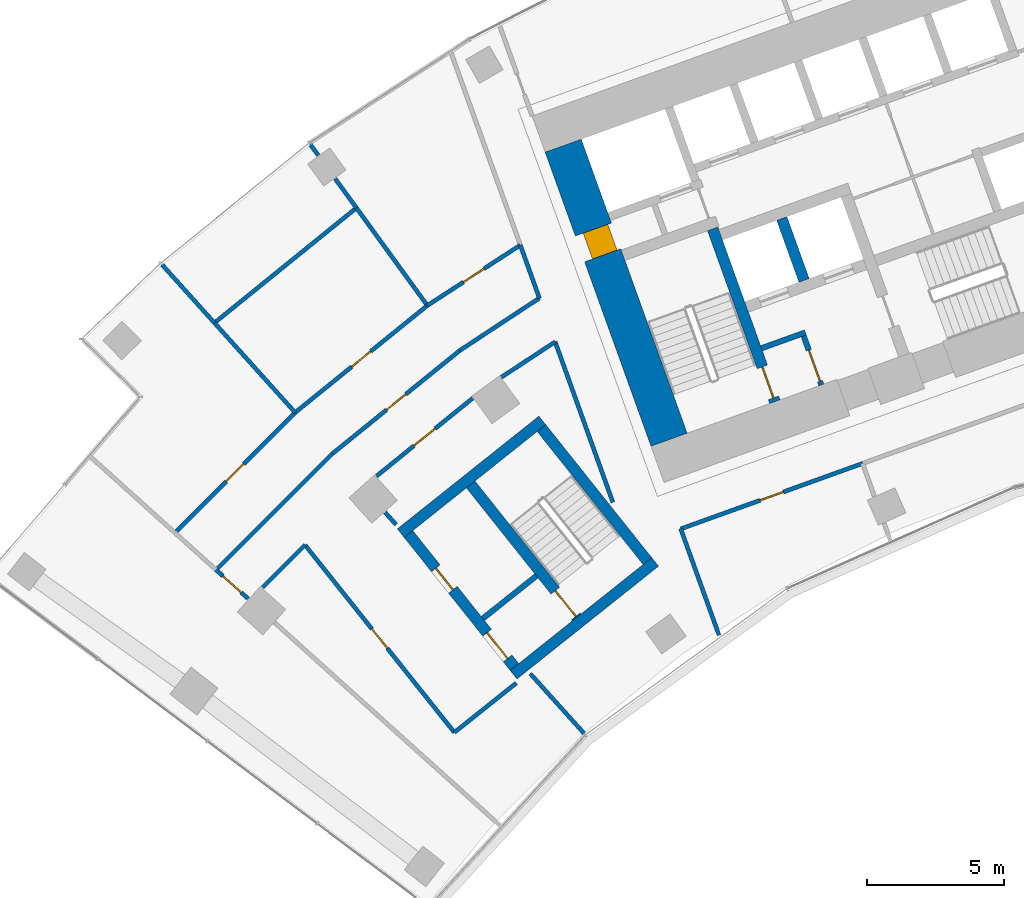
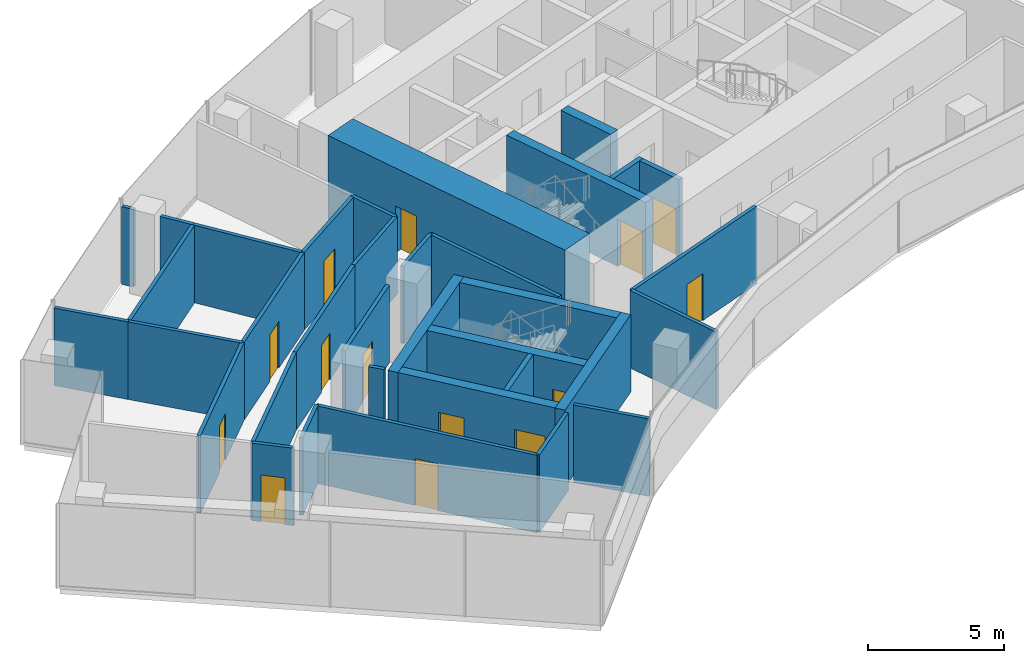
# One storey, part 13 of 20: 35 walls, 14 doors, 14 openings.
"""IFC4 building model written with IfcOpenShell, lengths in metres."""

from ifc_helpers import new_model, si_unit, direction, frame, frame_2d, origin, place, context, subcontext, project, spatial, rectangle, extrude, material, layer, layer_set, type_object, element, fill, save


model = new_model("IFC4")

# Units and contexts
model_context = context("Model", 3, precision=1e-05, world=origin(), true_north=direction((0.0, 1.0)))
body_context = subcontext(model_context, "Body", "Model", "MODEL_VIEW")
ifc_project = project(units=[si_unit("LENGTHUNIT", "METRE"), si_unit("AREAUNIT", "SQUARE_METRE"), si_unit("VOLUMEUNIT", "CUBIC_METRE"), si_unit("PLANEANGLEUNIT", "RADIAN"), si_unit("MASSUNIT", "GRAM", prefix="KILO")], contexts=[model_context])

# Site, building, storey
site_placement = place(None, origin())
site = spatial("IfcSite", under=ifc_project, at=site_placement, CompositionType="ELEMENT")
building_placement = place(site_placement, origin())
building = spatial("IfcBuilding", under=site, at=building_placement, Name="Stone Belt Terrace Tower", CompositionType="ELEMENT")
storey_placement = place(building_placement, frame((0.0, 0.0, 182.0)))
storey = spatial("IfcBuildingStorey", under=building, at=storey_placement, Name="L44", CompositionType="ELEMENT", Elevation=182.0)

# Wall, opening, door
ifc_material_1 = material(Name="Concrete B80", Category="concrete")
ifc_layer_1 = layer(ifc_material_1, 1.39990234375)
ifc_layer_set_1 = layer_set([ifc_layer_1], Name="Core wall 1400 B80")
wall_type_1 = type_object("IfcWallType", Name="Core wall 1400 B80", PredefinedType="SHEAR", material=ifc_layer_set_1)
wall_1_placement = place(storey_placement, frame((-26.00927734375, 43.03515625, 0.0), z_axis=(0.0, 0.0, 1.0), x_axis=(-0.338625431531, 0.940921259788, 0.0)))
wall_1 = element("IfcWall", 1, at=wall_1_placement, inside=storey, type_object=wall_type_1, Name="Core A wall end_a L44", PredefinedType="SHEAR", context=body_context, shape_type="SweptSolid", body=[
    extrude(rectangle(XDim=11.400146484375, YDim=1.39990234375, at=frame_2d((5.7001953125, 0.0))), origin(), (0.0, 0.0, 1.0), 3.800048828125),
])
opening_1_placement = place(wall_1_placement, frame((7.14990234375, 0.0, 0.0)))
opening_1 = element("IfcOpeningElement", 2, at=opening_1_placement, cuts=wall_1, Name="Opening L44-C04", PredefinedType="OPENING", context=body_context, shape_type="SweptSolid", body=[
    extrude(rectangle(XDim=1.0, YDim=2.10009765625, at=frame_2d((0.5, 1.050048828125))), frame((0.0, 0.7099609375, 0.0), z_axis=(0.0, -1.0, 0.0), x_axis=(1.0, 0.0, 0.0)), (0.0, 0.0, 1.0), 1.419921875),
])
ifc_material_2 = material(Name="Timber door leaf", Category="wood")
door_type_1 = type_object("IfcDoorType", Name="Core room door 1000", OperationType="SINGLE_SWING_LEFT", PredefinedType="DOOR", material=ifc_material_2)
door_1_placement = place(opening_1_placement, origin())
door_1 = element("IfcDoor", 3, at=door_1_placement, inside=storey, type_object=door_type_1, Name="Door to Telecommunications riser room core A", OperationType="SINGLE_SWING_RIGHT", OverallHeight=2.10009765625, OverallWidth=1.0, PredefinedType="DOOR", context=body_context, shape_type="SweptSolid", body=[
    extrude(rectangle(XDim=1.0, YDim=2.10009765625, at=frame_2d((0.5, 1.050048828125))), frame((0.0, 0.39501953125, 0.0), z_axis=(0.0, -1.0, 0.0), x_axis=(1.0, 0.0, 0.0)), (0.0, 0.0, 1.0), 0.949951171875),
])
fill(opening_1, door_1)

# Walls
ifc_layer_2 = layer(ifc_material_1, 0.39990234375)
ifc_layer_set_2 = layer_set([ifc_layer_2], Name="Fire-fighting lift shaft wall 400")
wall_type_2 = type_object("IfcWallType", Name="Fire-fighting lift shaft wall 400", PredefinedType="SHEAR", material=ifc_layer_set_2)
wall_2_placement = place(storey_placement, frame((-21.0859375, 48.845458984375, 0.0), z_axis=(0.0, 0.0, 1.0), x_axis=(-0.338629416206, 0.940919825745, 0.0)))
element("IfcWall", 4, at=wall_2_placement, inside=storey, type_object=wall_type_2, Name="Core A wall", PredefinedType="SHEAR", context=body_context, shape_type="SweptSolid", body=[
    extrude(rectangle(XDim=2.400146484375, YDim=0.39990234375, at=frame_2d((1.2001953125, 0.0))), origin(), (0.0, 0.0, 1.0), 3.47998046875),
])
ifc_material_3 = material(Name="Gypsum board partition")
ifc_layer_3 = layer(ifc_material_3, 0.14990234375)
ifc_layer_set_3 = layer_set([ifc_layer_3], Name="PARTITION 150 EI 60")
wall_type_3 = type_object("IfcWallType", Name="PARTITION 150 EI 60", PredefinedType="PARTITIONING", material=ifc_layer_set_3)
wall_3_placement = place(storey_placement, frame((-25.5859375, 39.79296875, 0.0), z_axis=(0.0, 0.0, 1.0), x_axis=(0.338545933013, -0.940949866486, 0.0)))
element("IfcWall", 5, at=wall_3_placement, inside=storey, type_object=wall_type_3, Name="L44/wall/i001", PredefinedType="PARTITIONING", context=body_context, shape_type="SweptSolid", body=[
    extrude(rectangle(XDim=4.135009765625, YDim=0.14990234375, at=frame_2d((2.0673828125, 0.0))), origin(), (0.0, 0.0, 1.0), 3.47998046875),
])
wall_4_placement = place(storey_placement, frame((-28.05810546875, 40.75390625, 0.0), z_axis=(0.0, 0.0, 1.0), x_axis=(-0.338523697563, 0.94095786632, 0.0)))
element("IfcWall", 6, at=wall_4_placement, inside=storey, type_object=wall_type_3, Name="L44/wall/i003", PredefinedType="PARTITIONING", context=body_context, shape_type="SweptSolid", body=[
    extrude(rectangle(XDim=6.226806640625, YDim=0.14990234375, at=frame_2d((3.11328125, 0.0))), origin(), (0.0, 0.0, 1.0), 3.47998046875),
])
wall_5_placement = place(storey_placement, frame((-29.107177734375, 32.32666015625, 0.0), z_axis=(0.0, 0.0, 1.0), x_axis=(-0.669245075227, 0.74304174128, 0.0)))
element("IfcWall", 7, at=wall_5_placement, inside=storey, type_object=wall_type_3, Name="L44/wall/i004", PredefinedType="PARTITIONING", context=body_context, shape_type="SweptSolid", body=[
    extrude(rectangle(XDim=2.9345703125, YDim=0.14990234375, at=frame_2d((1.46728515625, 0.0))), origin(), (0.0, 0.0, 1.0), 3.47998046875),
])
wall_6_placement = place(storey_placement, frame((-30.737060546875, 48.197021484375, 0.0), z_axis=(0.0, 0.0, 1.0), x_axis=(-0.338522672426, 0.940958235127, 0.0)))
element("IfcWall", 8, at=wall_6_placement, inside=storey, type_object=wall_type_3, Name="L44/wall/i005", PredefinedType="PARTITIONING", context=body_context, shape_type="SweptSolid", body=[
    extrude(rectangle(XDim=2.064697265625, YDim=0.14990234375, at=frame_2d((1.0322265625, 0.0))), origin(), (0.0, 0.0, 1.0), 3.47998046875),
])

# Wall, opening, door
wall_7_placement = place(storey_placement, frame((-18.947998046875, 42.175048828125, 0.0), z_axis=(0.0, 0.0, 1.0), x_axis=(-0.940933298145, -0.338591979293, 0.0)))
wall_7 = element("IfcWall", 9, at=wall_7_placement, inside=storey, type_object=wall_type_3, Name="L44/wall/i011", PredefinedType="PARTITIONING", context=body_context, shape_type="SweptSolid", body=[
    extrude(rectangle(XDim=7.052490234375, YDim=0.14990234375, at=frame_2d((3.5263671875, 0.0))), origin(), (0.0, 0.0, 1.0), 3.47998046875),
])
opening_2_placement = place(wall_7_placement, frame((3.076416015625, 0.0, 0.0)))
opening_2 = element("IfcOpeningElement", 10, at=opening_2_placement, cuts=wall_7, Name="Opening D-C5-01", PredefinedType="OPENING", context=body_context, shape_type="SweptSolid", body=[
    extrude(rectangle(XDim=0.89990234375, YDim=2.10009765625, at=frame_2d((0.449951171875, 1.050048828125))), frame((0.0, 0.0849609375, 0.0), z_axis=(0.0, -1.0, 0.0), x_axis=(1.0, 0.0, 0.0)), (0.0, 0.0, 1.0), 0.169921875),
])
door_type_2 = type_object("IfcDoorType", Name="OFFICE DOOR 900 X 2100", OperationType="NOTDEFINED", PredefinedType="DOOR", material=ifc_material_2)
door_2_placement = place(opening_2_placement, origin())
door_2 = element("IfcDoor", 11, at=door_2_placement, inside=storey, type_object=door_type_2, Name="L44/door/i01", OperationType="SINGLE_SWING_RIGHT", OverallHeight=2.10009765625, OverallWidth=0.89990234375, PredefinedType="DOOR", context=body_context, shape_type="SweptSolid", body=[
    extrude(rectangle(XDim=0.89990234375, YDim=2.10009765625, at=frame_2d((0.449951171875, 1.050048828125))), frame((0.0, 0.02490234375, 0.0), z_axis=(0.0, -1.0, 0.0), x_axis=(1.0, 0.0, 0.0)), (0.0, 0.0, 1.0), 0.050048828125),
])
fill(opening_2, door_2)

wall_8_placement = place(storey_placement, frame((-41.35986328125, 37.240478515625, 0.0), z_axis=(0.0, 0.0, 1.0), x_axis=(-0.742885543222, 0.669418456327, 0.0)))
wall_8 = element("IfcWall", 12, at=wall_8_placement, inside=storey, type_object=wall_type_3, Name="L44/wall/i029", PredefinedType="PARTITIONING", context=body_context, shape_type="SweptSolid", body=[
    extrude(rectangle(XDim=1.5751953125, YDim=0.14990234375, at=frame_2d((0.78759765625, 0.0))), origin(), (0.0, 0.0, 1.0), 3.47998046875),
])
opening_3_placement = place(wall_8_placement, frame((0.337646484375, 0.0, 0.0)))
opening_3 = element("IfcOpeningElement", 13, at=opening_3_placement, cuts=wall_8, Name="Opening D-C5-09", PredefinedType="OPENING", context=body_context, shape_type="SweptSolid", body=[
    extrude(rectangle(XDim=0.89990234375, YDim=2.10009765625, at=frame_2d((0.449951171875, 1.050048828125))), frame((0.0, 0.0849609375, 0.0), z_axis=(0.0, -1.0, 0.0), x_axis=(1.0, 0.0, 0.0)), (0.0, 0.0, 1.0), 0.169921875),
])
ifc_material_4 = material(Name="Timber fire door leaf", Category="wood")
door_type_3 = type_object("IfcDoorType", Name="TENANCY ENTRANCE DOOR 900 X 2100", OperationType="NOTDEFINED", PredefinedType="DOOR", material=ifc_material_4)
door_3_placement = place(opening_3_placement, origin())
door_3 = element("IfcDoor", 14, at=door_3_placement, inside=storey, type_object=door_type_3, Name="L44/door/i09", OperationType="SINGLE_SWING_RIGHT", OverallHeight=2.10009765625, OverallWidth=0.89990234375, PredefinedType="DOOR", context=body_context, shape_type="SweptSolid", body=[
    extrude(rectangle(XDim=0.89990234375, YDim=2.10009765625, at=frame_2d((0.449951171875, 1.050048828125))), frame((0.0, 0.02490234375, 0.0), z_axis=(0.0, -1.0, 0.0), x_axis=(1.0, 0.0, 0.0)), (0.0, 0.0, 1.0), 0.050048828125),
])
fill(opening_3, door_3)

# Wall
wall_9_placement = place(storey_placement, frame((-30.1640625, 46.60693359375, 0.0), z_axis=(0.0, 0.0, 1.0), x_axis=(-0.835406992815, -0.549631837102, 0.0)))
element("IfcWall", 15, at=wall_9_placement, inside=storey, type_object=wall_type_3, Name="L44/wall/i033", PredefinedType="PARTITIONING", context=body_context, shape_type="SweptSolid", body=[
    extrude(rectangle(XDim=2.339111328125, YDim=0.14990234375, at=frame_2d((1.16943359375, 0.0))), origin(), (0.0, 0.0, 1.0), 3.47998046875),
])

# Wall, opening, door
wall_10_placement = place(storey_placement, frame((-33.17578125, 44.548095703125, 0.0), z_axis=(0.0, 0.0, 1.0), x_axis=(-0.777148951547, -0.629316698578, 0.0)))
wall_10 = element("IfcWall", 16, at=wall_10_placement, inside=storey, type_object=wall_type_3, Name="L44/wall/i034", PredefinedType="PARTITIONING", context=body_context, shape_type="SweptSolid", body=[
    extrude(rectangle(XDim=4.505126953125, YDim=0.14990234375, at=frame_2d((2.25244140625, 0.0))), origin(), (0.0, 0.0, 1.0), 3.47998046875),
])
opening_4_placement = place(wall_10_placement, frame((1.752685546875, 0.0, 0.0)))
opening_4 = element("IfcOpeningElement", 17, at=opening_4_placement, cuts=wall_10, Name="Opening D-C5-10", PredefinedType="OPENING", context=body_context, shape_type="SweptSolid", body=[
    extrude(rectangle(XDim=1.0, YDim=2.10009765625, at=frame_2d((0.5, 1.050048828125))), frame((0.0, 0.0849609375, 0.0), z_axis=(0.0, -1.0, 0.0), x_axis=(1.0, 0.0, 0.0)), (0.0, 0.0, 1.0), 0.169921875),
])
door_type_4 = type_object("IfcDoorType", Name="TENANCY ENTRANCE DOOR 1000 X 2100", OperationType="NOTDEFINED", PredefinedType="DOOR", material=ifc_material_4)
door_4_placement = place(opening_4_placement, origin())
door_4 = element("IfcDoor", 18, at=door_4_placement, inside=storey, type_object=door_type_4, Name="L44/door/i10", OperationType="SINGLE_SWING_RIGHT", OverallHeight=2.10009765625, OverallWidth=1.0, PredefinedType="DOOR", context=body_context, shape_type="SweptSolid", body=[
    extrude(rectangle(XDim=1.0, YDim=2.10009765625, at=frame_2d((0.5, 1.050048828125))), frame((0.0, 0.02490234375, 0.0), z_axis=(0.0, -1.0, 0.0), x_axis=(1.0, 0.0, 0.0)), (0.0, 0.0, 1.0), 0.050048828125),
])
fill(opening_4, door_4)

# Walls
wall_11_placement = place(storey_placement, frame((-39.281982421875, 39.205078125, 0.0), z_axis=(0.0, 0.0, 1.0), x_axis=(-0.707106781187, -0.707106781187, 0.0)))
element("IfcWall", 19, at=wall_11_placement, inside=storey, type_object=wall_type_3, Name="L44/wall/i035", PredefinedType="PARTITIONING", context=body_context, shape_type="SweptSolid", body=[
    extrude(rectangle(XDim=2.1982421875, YDim=0.14990234375, at=frame_2d((1.09912109375, 0.0))), origin(), (0.0, 0.0, 1.0), 3.47998046875),
])
wall_12_placement = place(storey_placement, frame((-42.52587890625, 38.291015625, 0.0), z_axis=(0.0, 0.0, 1.0), x_axis=(0.707106781187, 0.707106781187, 0.0)))
element("IfcWall", 20, at=wall_12_placement, inside=storey, type_object=wall_type_3, Name="L44/wall/i036", PredefinedType="PARTITIONING", context=body_context, shape_type="SweptSolid", body=[
    extrude(rectangle(XDim=5.989013671875, YDim=0.14990234375, at=frame_2d((2.99462890625, 0.0))), origin(), (0.0, 0.0, 1.0), 3.47998046875),
])

# Wall, opening, door
wall_13_placement = place(storey_placement, frame((-38.291015625, 42.52587890625, 0.0), z_axis=(0.0, 0.0, 1.0), x_axis=(0.777109127033, 0.629365875054, 0.0)))
wall_13 = element("IfcWall", 21, at=wall_13_placement, inside=storey, type_object=wall_type_3, Name="L44/wall/i037", PredefinedType="PARTITIONING", context=body_context, shape_type="SweptSolid", body=[
    extrude(rectangle(XDim=5.990234375, YDim=0.14990234375, at=frame_2d((2.9951171875, 0.0))), origin(), (0.0, 0.0, 1.0), 3.47998046875),
])
opening_5_placement = place(wall_13_placement, frame((2.545166015625, 0.0, 0.0)))
opening_5 = element("IfcOpeningElement", 22, at=opening_5_placement, cuts=wall_13, Name="Opening D-C5-12", PredefinedType="OPENING", context=body_context, shape_type="SweptSolid", body=[
    extrude(rectangle(XDim=0.89990234375, YDim=2.10009765625, at=frame_2d((0.449951171875, 1.050048828125))), frame((0.0, 0.0849609375, 0.0), z_axis=(0.0, -1.0, 0.0), x_axis=(1.0, 0.0, 0.0)), (0.0, 0.0, 1.0), 0.169921875),
])
door_5_placement = place(opening_5_placement, origin())
door_5 = element("IfcDoor", 23, at=door_5_placement, inside=storey, type_object=door_type_2, Name="L44/door/i12", OperationType="SINGLE_SWING_RIGHT", OverallHeight=2.10009765625, OverallWidth=0.89990234375, PredefinedType="DOOR", context=body_context, shape_type="SweptSolid", body=[
    extrude(rectangle(XDim=0.89990234375, YDim=2.10009765625, at=frame_2d((0.449951171875, 1.050048828125))), frame((0.0, 0.02490234375, 0.0), z_axis=(0.0, -1.0, 0.0), x_axis=(1.0, 0.0, 0.0)), (0.0, 0.0, 1.0), 0.050048828125),
])
fill(opening_5, door_5)

# Walls
wall_14_placement = place(storey_placement, frame((-33.635986328125, 46.2958984375, 0.0), z_axis=(0.0, 0.0, 1.0), x_axis=(0.835274160171, 0.549833681535, 0.0)))
element("IfcWall", 24, at=wall_14_placement, inside=storey, type_object=wall_type_3, Name="L44/wall/i038", PredefinedType="PARTITIONING", context=body_context, shape_type="SweptSolid", body=[
    extrude(rectangle(XDim=3.46826171875, YDim=0.14990234375, at=frame_2d((1.734130859375, 0.0))), origin(), (0.0, 0.0, 1.0), 3.47998046875),
])
wall_15_placement = place(storey_placement, frame((-36.364013671875, 40.38623046875, 0.0), z_axis=(0.0, 0.0, 1.0), x_axis=(0.668964731622, -0.743294146247, 0.0)))
element("IfcWall", 25, at=wall_15_placement, inside=storey, type_object=wall_type_3, Name="L44/wall/i039", PredefinedType="PARTITIONING", context=body_context, shape_type="SweptSolid", body=[
    extrude(rectangle(XDim=0.597900390625, YDim=0.14990234375, at=frame_2d((0.298828125, 0.0))), origin(), (0.0, 0.0, 1.0), 3.47998046875),
])
wall_16_placement = place(storey_placement, frame((-31.58203125, 34.1640625, 0.0), z_axis=(0.0, 0.0, 1.0), x_axis=(-0.78211299795, -0.623136629029, 0.0)))
element("IfcWall", 26, at=wall_16_placement, inside=storey, type_object=wall_type_3, Name="L44/wall/i040", PredefinedType="PARTITIONING", context=body_context, shape_type="SweptSolid", body=[
    extrude(rectangle(XDim=2.88720703125, YDim=0.14990234375, at=frame_2d((1.443603515625, 0.0))), origin(), (0.0, 0.0, 1.0), 3.47998046875),
])

# Wall, opening, door
wall_17_placement = place(storey_placement, frame((-33.841064453125, 32.365966796875, 0.0), z_axis=(0.0, 0.0, 1.0), x_axis=(-0.623078744687, 0.782159112917, 0.0)))
wall_17 = element("IfcWall", 27, at=wall_17_placement, inside=storey, type_object=wall_type_3, Name="L44/wall/i041", PredefinedType="PARTITIONING", context=body_context, shape_type="SweptSolid", body=[
    extrude(rectangle(XDim=8.738525390625, YDim=0.14990234375, at=frame_2d((4.369140625, 0.0))), origin(), (0.0, 0.0, 1.0), 3.47998046875),
])
opening_6_placement = place(wall_17_placement, frame((3.91943359375, 0.0, 0.0)))
opening_6 = element("IfcOpeningElement", 28, at=opening_6_placement, cuts=wall_17, Name="Opening D-C5-11", PredefinedType="OPENING", context=body_context, shape_type="SweptSolid", body=[
    extrude(rectangle(XDim=0.89990234375, YDim=2.10009765625, at=frame_2d((0.449951171875, 1.050048828125))), frame((0.0, 0.0849609375, 0.0), z_axis=(0.0, -1.0, 0.0), x_axis=(1.0, 0.0, 0.0)), (0.0, 0.0, 1.0), 0.169921875),
])
door_6_placement = place(opening_6_placement, origin())
door_6 = element("IfcDoor", 29, at=door_6_placement, inside=storey, type_object=door_type_2, Name="L44/door/i11", OperationType="SINGLE_SWING_RIGHT", OverallHeight=2.10009765625, OverallWidth=0.89990234375, PredefinedType="DOOR", context=body_context, shape_type="SweptSolid", body=[
    extrude(rectangle(XDim=0.89990234375, YDim=2.10009765625, at=frame_2d((0.449951171875, 1.050048828125))), frame((0.0, 0.02490234375, 0.0), z_axis=(0.0, -1.0, 0.0), x_axis=(1.0, 0.0, 0.0)), (0.0, 0.0, 1.0), 0.050048828125),
])
fill(opening_6, door_6)

wall_18_placement = place(storey_placement, frame((-44.029052734375, 39.64501953125, 0.0), z_axis=(0.0, 0.0, 1.0), x_axis=(0.707106781187, 0.707106781187, 0.0)))
wall_18 = element("IfcWall", 30, at=wall_18_placement, inside=storey, type_object=wall_type_3, Name="L44/wall/i042", PredefinedType="PARTITIONING", context=body_context, shape_type="SweptSolid", body=[
    extrude(rectangle(XDim=6.201416015625, YDim=0.14990234375, at=frame_2d((3.1005859375, 0.0))), origin(), (0.0, 0.0, 1.0), 3.47998046875),
])
opening_7_placement = place(wall_18_placement, frame((2.650634765625, 0.0, 0.0)))
opening_7 = element("IfcOpeningElement", 31, at=opening_7_placement, cuts=wall_18, Name="Opening D-C5-13", PredefinedType="OPENING", context=body_context, shape_type="SweptSolid", body=[
    extrude(rectangle(XDim=0.89990234375, YDim=2.10009765625, at=frame_2d((0.449951171875, 1.050048828125))), frame((0.0, 0.0849609375, 0.0), z_axis=(0.0, -1.0, 0.0), x_axis=(1.0, 0.0, 0.0)), (0.0, 0.0, 1.0), 0.169921875),
])
door_7_placement = place(opening_7_placement, origin())
door_7 = element("IfcDoor", 32, at=door_7_placement, inside=storey, type_object=door_type_2, Name="L44/door/i13", OperationType="SINGLE_SWING_RIGHT", OverallHeight=2.10009765625, OverallWidth=0.89990234375, PredefinedType="DOOR", context=body_context, shape_type="SweptSolid", body=[
    extrude(rectangle(XDim=0.89990234375, YDim=2.10009765625, at=frame_2d((0.449951171875, 1.050048828125))), frame((0.0, 0.02490234375, 0.0), z_axis=(0.0, -1.0, 0.0), x_axis=(1.0, 0.0, 0.0)), (0.0, 0.0, 1.0), 0.050048828125),
])
fill(opening_7, door_7)

wall_19_placement = place(storey_placement, frame((-39.64404296875, 44.030029296875, 0.0), z_axis=(0.0, 0.0, 1.0), x_axis=(0.777190769916, 0.629265053184, 0.0)))
wall_19 = element("IfcWall", 33, at=wall_19_placement, inside=storey, type_object=wall_type_3, Name="L44/wall/i043", PredefinedType="PARTITIONING", context=body_context, shape_type="SweptSolid", body=[
    extrude(rectangle(XDim=6.20068359375, YDim=0.14990234375, at=frame_2d((3.100341796875, 0.0))), origin(), (0.0, 0.0, 1.0), 3.47998046875),
])
opening_8_placement = place(wall_19_placement, frame((2.650390625, 0.0, 0.0)))
opening_8 = element("IfcOpeningElement", 34, at=opening_8_placement, cuts=wall_19, Name="Opening D-C5-14", PredefinedType="OPENING", context=body_context, shape_type="SweptSolid", body=[
    extrude(rectangle(XDim=0.89990234375, YDim=2.10009765625, at=frame_2d((0.449951171875, 1.050048828125))), frame((0.0, 0.0849609375, 0.0), z_axis=(0.0, -1.0, 0.0), x_axis=(1.0, 0.0, 0.0)), (0.0, 0.0, 1.0), 0.169921875),
])
door_8_placement = place(opening_8_placement, origin())
door_8 = element("IfcDoor", 35, at=door_8_placement, inside=storey, type_object=door_type_2, Name="L44/door/i14", OperationType="SINGLE_SWING_RIGHT", OverallHeight=2.10009765625, OverallWidth=0.89990234375, PredefinedType="DOOR", context=body_context, shape_type="SweptSolid", body=[
    extrude(rectangle(XDim=0.89990234375, YDim=2.10009765625, at=frame_2d((0.449951171875, 1.050048828125))), frame((0.0, 0.02490234375, 0.0), z_axis=(0.0, -1.0, 0.0), x_axis=(1.0, 0.0, 0.0)), (0.0, 0.0, 1.0), 0.050048828125),
])
fill(opening_8, door_8)

wall_20_placement = place(storey_placement, frame((-34.824951171875, 47.931884765625, 0.0), z_axis=(0.0, 0.0, 1.0), x_axis=(0.838660143757, 0.544655086521, 0.0)))
wall_20 = element("IfcWall", 36, at=wall_20_placement, inside=storey, type_object=wall_type_3, Name="L44/wall/i044", PredefinedType="PARTITIONING", context=body_context, shape_type="SweptSolid", body=[
    extrude(rectangle(XDim=4.043212890625, YDim=0.14990234375, at=frame_2d((2.021484375, 0.0))), origin(), (0.0, 0.0, 1.0), 3.47998046875),
])
opening_9_placement = place(wall_20_placement, frame((1.571533203125, 0.0, 0.0)))
opening_9 = element("IfcOpeningElement", 37, at=opening_9_placement, cuts=wall_20, Name="Opening D-C5-15", PredefinedType="OPENING", context=body_context, shape_type="SweptSolid", body=[
    extrude(rectangle(XDim=0.89990234375, YDim=2.10009765625, at=frame_2d((0.449951171875, 1.050048828125))), frame((0.0, 0.0849609375, 0.0), z_axis=(0.0, -1.0, 0.0), x_axis=(1.0, 0.0, 0.0)), (0.0, 0.0, 1.0), 0.169921875),
])
door_9_placement = place(opening_9_placement, origin())
door_9 = element("IfcDoor", 38, at=door_9_placement, inside=storey, type_object=door_type_2, Name="L44/door/i15", OperationType="SINGLE_SWING_RIGHT", OverallHeight=2.10009765625, OverallWidth=0.89990234375, PredefinedType="DOOR", context=body_context, shape_type="SweptSolid", body=[
    extrude(rectangle(XDim=0.89990234375, YDim=2.10009765625, at=frame_2d((0.449951171875, 1.050048828125))), frame((0.0, 0.02490234375, 0.0), z_axis=(0.0, -1.0, 0.0), x_axis=(1.0, 0.0, 0.0)), (0.0, 0.0, 1.0), 0.050048828125),
])
fill(opening_9, door_9)

# Walls
wall_21_placement = place(storey_placement, frame((-42.592041015625, 47.302978515625, 0.0), z_axis=(0.0, 0.0, 1.0), x_axis=(0.669258646934, -0.74302951725, 0.0)))
element("IfcWall", 39, at=wall_21_placement, inside=storey, type_object=wall_type_3, Name="L44/wall/i045", PredefinedType="PARTITIONING", context=body_context, shape_type="SweptSolid", body=[
    extrude(rectangle(XDim=4.40478515625, YDim=0.14990234375, at=frame_2d((2.202392578125, 0.0))), origin(), (0.0, 0.0, 1.0), 3.47998046875),
])
wall_22_placement = place(storey_placement, frame((-44.496826171875, 49.41943359375, 0.0), z_axis=(0.0, 0.0, 1.0), x_axis=(0.66894586308, -0.743311127502, 0.0)))
element("IfcWall", 40, at=wall_22_placement, inside=storey, type_object=wall_type_3, Name="L44/wall/i046", PredefinedType="PARTITIONING", context=body_context, shape_type="SweptSolid", body=[
    extrude(rectangle(XDim=2.859375, YDim=0.14990234375, at=frame_2d((1.4296875, 0.0))), origin(), (0.0, 0.0, 1.0), 3.47998046875),
])
wall_23_placement = place(storey_placement, frame((-42.587890625, 47.299072265625, 0.0), z_axis=(0.0, 0.0, 1.0), x_axis=(0.777100621569, 0.629376377025, 0.0)))
element("IfcWall", 41, at=wall_23_placement, inside=storey, type_object=wall_type_3, Name="L44/wall/i047", PredefinedType="PARTITIONING", context=body_context, shape_type="SweptSolid", body=[
    extrude(rectangle(XDim=6.661865234375, YDim=0.14990234375, at=frame_2d((3.3310546875, 0.0))), origin(), (0.0, 0.0, 1.0), 3.47998046875),
])
wall_24_placement = place(storey_placement, frame((-37.410888671875, 51.491943359375, 0.0), z_axis=(0.0, 0.0, 1.0), x_axis=(0.587696525109, -0.809081451014, 0.0)))
element("IfcWall", 42, at=wall_24_placement, inside=storey, type_object=wall_type_3, Name="L44/wall/i048", PredefinedType="PARTITIONING", context=body_context, shape_type="SweptSolid", body=[
    extrude(rectangle(XDim=4.400146484375, YDim=0.14990234375, at=frame_2d((2.2001953125, 0.0))), origin(), (0.0, 0.0, 1.0), 3.47998046875),
])
wall_25_placement = place(storey_placement, frame((-39.087890625, 53.7998046875, 0.0), z_axis=(0.0, 0.0, 1.0), x_axis=(0.587839914735, -0.808977276964, 0.0)))
element("IfcWall", 43, at=wall_25_placement, inside=storey, type_object=wall_type_3, Name="L44/wall/i049", PredefinedType="PARTITIONING", context=body_context, shape_type="SweptSolid", body=[
    extrude(rectangle(XDim=0.4814453125, YDim=0.14990234375, at=frame_2d((0.24072265625, 0.0))), origin(), (0.0, 0.0, 1.0), 3.47998046875),
])
wall_26_placement = place(storey_placement, frame((-38.181884765625, 52.552978515625, 0.0), z_axis=(0.0, 0.0, 1.0), x_axis=(0.587839609229, -0.808977498958, 0.0)))
element("IfcWall", 44, at=wall_26_placement, inside=storey, type_object=wall_type_3, Name="L44/wall/i050", PredefinedType="PARTITIONING", context=body_context, shape_type="SweptSolid", body=[
    extrude(rectangle(XDim=1.3115234375, YDim=0.14990234375, at=frame_2d((0.65576171875, 0.0))), origin(), (0.0, 0.0, 1.0), 3.47998046875),
])
ifc_material_5 = material(Name="Concrete masonry block", Category="masonry")
ifc_layer_4 = layer(ifc_material_5, 0.199951171875)
ifc_layer_set_4 = layer_set([ifc_layer_4], Name="Rated lobby wall 200")
wall_type_4 = type_object("IfcWallType", Name="Rated lobby wall 200", PredefinedType="PARTITIONING", material=ifc_layer_set_4)
wall_27_placement = place(storey_placement, frame((-22.640625, 46.373046875, 0.0), z_axis=(0.0, 0.0, 1.0), x_axis=(0.940966110313, 0.338500781747, 0.0)))
element("IfcWall", 45, at=wall_27_placement, inside=storey, type_object=wall_type_4, Name="Core A wall", PredefinedType="PARTITIONING", context=body_context, shape_type="SweptSolid", body=[
    extrude(rectangle(XDim=1.699951171875, YDim=0.199951171875, at=frame_2d((0.85009765625, 0.0))), origin(), (0.0, 0.0, 1.0), 3.47998046875),
])

# Wall, opening, door
wall_28_placement = place(storey_placement, frame((-20.4580078125, 45.032958984375, 0.0), z_axis=(0.0, 0.0, 1.0), x_axis=(-0.338573865316, 0.940939816208, 0.0)))
wall_28 = element("IfcWall", 46, at=wall_28_placement, inside=storey, type_object=wall_type_4, Name="Core A wall", PredefinedType="PARTITIONING", context=body_context, shape_type="SweptSolid", body=[
    extrude(rectangle(XDim=1.900146484375, YDim=0.199951171875, at=frame_2d((0.9501953125, 0.0))), origin(), (0.0, 0.0, 1.0), 3.47998046875),
])
opening_10_placement = place(wall_28_placement, frame((0.14990234375, 0.0, 0.0)))
opening_10 = element("IfcOpeningElement", 47, at=opening_10_placement, cuts=wall_28, Name="Opening L44-C09", PredefinedType="OPENING", context=body_context, shape_type="SweptSolid", body=[
    extrude(rectangle(XDim=1.199951171875, YDim=2.10009765625, at=frame_2d((0.60009765625, 1.050048828125))), frame((0.0, 0.10986328125, 0.0), z_axis=(0.0, -1.0, 0.0), x_axis=(1.0, 0.0, 0.0)), (0.0, 0.0, 1.0), 0.219970703125),
])
ifc_material_6 = material(Name="Steel door leaf", Category="steel")
door_type_5 = type_object("IfcDoorType", Name="Stair door 1200", OperationType="SINGLE_SWING_LEFT", PredefinedType="DOOR", material=ifc_material_6)
door_10_placement = place(opening_10_placement, origin())
door_10 = element("IfcDoor", 48, at=door_10_placement, inside=storey, type_object=door_type_5, Name="Stair airlock door core A", OperationType="SINGLE_SWING_LEFT", OverallHeight=2.10009765625, OverallWidth=1.199951171875, PredefinedType="DOOR", context=body_context, shape_type="SweptSolid", body=[
    extrude(rectangle(XDim=1.199951171875, YDim=2.10009765625, at=frame_2d((0.60009765625, 1.050048828125))), frame((0.0, 0.02490234375, 0.0), z_axis=(0.0, -1.0, 0.0), x_axis=(1.0, 0.0, 0.0)), (0.0, 0.0, 1.0), 0.050048828125),
])
fill(opening_10, door_10)

# Wall
wall_29_placement = place(storey_placement, frame((-30.845703125, 38.074951171875, 0.0), z_axis=(0.0, 0.0, 1.0), x_axis=(-0.782115323833, -0.623133709749, 0.0)))
element("IfcWall", 49, at=wall_29_placement, inside=storey, type_object=wall_type_4, Name="Exit stair ST3A wall", PredefinedType="PARTITIONING", context=body_context, shape_type="SweptSolid", body=[
    extrude(rectangle(XDim=2.5, YDim=0.199951171875, at=frame_2d((1.25, 0.0))), origin(), (0.0, 0.0, 1.0), 3.47998046875),
])

# Wall, opening, door
ifc_layer_5 = layer(ifc_material_1, 0.39990234375)
ifc_layer_set_5 = layer_set([ifc_layer_5], Name="Stair enclosure wall 400")
wall_type_5 = type_object("IfcWallType", Name="Stair enclosure wall 400", PredefinedType="SHEAR", material=ifc_layer_set_5)
wall_30_placement = place(storey_placement, frame((-22.151611328125, 44.42333984375, 0.0), z_axis=(0.0, 0.0, 1.0), x_axis=(-0.338625272931, 0.940921316866, 0.0)))
wall_30 = element("IfcWall", 50, at=wall_30_placement, inside=storey, type_object=wall_type_5, Name="Core A wall", PredefinedType="SHEAR", context=body_context, shape_type="SweptSolid", body=[
    extrude(rectangle(XDim=6.699951171875, YDim=0.39990234375, at=frame_2d((3.35009765625, 0.0))), origin(), (0.0, 0.0, 1.0), 3.47998046875),
])
opening_11_placement = place(wall_30_placement, frame((0.14990234375, 0.0, 0.0)))
opening_11 = element("IfcOpeningElement", 51, at=opening_11_placement, cuts=wall_30, Name="Opening L44-C08", PredefinedType="OPENING", context=body_context, shape_type="SweptSolid", body=[
    extrude(rectangle(XDim=1.199951171875, YDim=2.10009765625, at=frame_2d((0.60009765625, 1.050048828125))), frame((0.0, 0.2099609375, 0.0), z_axis=(0.0, -1.0, 0.0), x_axis=(1.0, 0.0, 0.0)), (0.0, 0.0, 1.0), 0.419921875),
])
door_11_placement = place(opening_11_placement, origin())
door_11 = element("IfcDoor", 52, at=door_11_placement, inside=storey, type_object=door_type_5, Name="Stair 1 door core A", OperationType="SINGLE_SWING_LEFT", OverallHeight=2.10009765625, OverallWidth=1.199951171875, PredefinedType="DOOR", context=body_context, shape_type="SweptSolid", body=[
    extrude(rectangle(XDim=1.199951171875, YDim=2.10009765625, at=frame_2d((0.60009765625, 1.050048828125))), frame((0.0, 0.02490234375, 0.0), z_axis=(0.0, -1.0, 0.0), x_axis=(1.0, 0.0, 0.0)), (0.0, 0.0, 1.0), 0.050048828125),
])
fill(opening_11, door_11)

# Walls
for number, where, z_axis, x_axis, name in (
    (53, (-26.518798828125, 38.58154296875, 0.0), (0.0, 0.0, 1.0), (-0.782133914161, -0.623110375711, 0.0), "Exit stair ST3A wall"),
    (54, (-30.63134765625, 43.74365234375, 0.0), (0.0, 0.0, 1.0), (-0.782133914161, -0.623110375711, 0.0), "Exit stair ST3A wall"),
):
    element("IfcWall", number, at=place(storey_placement, frame(where, z_axis=z_axis, x_axis=x_axis)), inside=storey, type_object=wall_type_5, Name=name, PredefinedType="SHEAR", context=body_context, shape_type="SweptSolid", body=[
        extrude(rectangle(XDim=6.60009765625, YDim=0.39990234375, at=frame_2d((3.300048828125, 0.0))), origin(), (0.0, 0.0, 1.0), 3.47998046875),
    ])
wall_31_placement = place(storey_placement, frame((-26.7998046875, 38.61328125, 0.0), z_axis=(0.0, 0.0, 1.0), x_axis=(-0.623118653668, 0.782127319208, 0.0)))
element("IfcWall", 55, at=wall_31_placement, inside=storey, type_object=wall_type_5, Name="Exit stair ST3A wall", PredefinedType="SHEAR", context=body_context, shape_type="SweptSolid", body=[
    extrude(rectangle(XDim=6.199951171875, YDim=0.39990234375, at=frame_2d((3.10009765625, 0.0))), origin(), (0.0, 0.0, 1.0), 3.47998046875),
])

# Wall, openings, doors
wall_32_placement = place(storey_placement, frame((-31.64892578125, 34.75, 0.0), z_axis=(0.0, 0.0, 1.0), x_axis=(-0.623118653668, 0.782127319208, 0.0)))
wall_32 = element("IfcWall", 56, at=wall_32_placement, inside=storey, type_object=wall_type_5, Name="Exit stair ST3A wall", PredefinedType="SHEAR", context=body_context, shape_type="SweptSolid", body=[
    extrude(rectangle(XDim=6.199951171875, YDim=0.39990234375, at=frame_2d((3.10009765625, 0.0))), origin(), (0.0, 0.0, 1.0), 3.47998046875),
])
opening_12_placement = place(wall_32_placement, frame((0.39990234375, 0.0, 0.0)))
opening_12 = element("IfcOpeningElement", 57, at=opening_12_placement, cuts=wall_32, Name="Opening L44-C30", PredefinedType="OPENING", context=body_context, shape_type="SweptSolid", body=[
    extrude(rectangle(XDim=1.199951171875, YDim=2.10009765625, at=frame_2d((0.60009765625, 1.050048828125))), frame((0.0, 0.2099609375, 0.0), z_axis=(0.0, -1.0, 0.0), x_axis=(1.0, 0.0, 0.0)), (0.0, 0.0, 1.0), 0.419921875),
])
opening_13_placement = place(wall_32_placement, frame((3.60009765625, 0.0, 0.0)))
opening_13 = element("IfcOpeningElement", 58, at=opening_13_placement, cuts=wall_32, Name="Opening L44-C31", PredefinedType="OPENING", context=body_context, shape_type="SweptSolid", body=[
    extrude(rectangle(XDim=1.0, YDim=2.10009765625, at=frame_2d((0.5, 1.050048828125))), frame((0.0, 0.2099609375, 0.0), z_axis=(0.0, -1.0, 0.0), x_axis=(1.0, 0.0, 0.0)), (0.0, 0.0, 1.0), 0.419921875),
])
door_12_placement = place(opening_13_placement, origin())
door_12 = element("IfcDoor", 59, at=door_12_placement, inside=storey, type_object=door_type_1, Name="Door to stair pressurisation plant room ST3A", OperationType="SINGLE_SWING_RIGHT", OverallHeight=2.10009765625, OverallWidth=1.0, PredefinedType="DOOR", context=body_context, shape_type="SweptSolid", body=[
    extrude(rectangle(XDim=1.0, YDim=2.10009765625, at=frame_2d((0.5, 1.050048828125))), frame((0.0, 0.02490234375, 0.0), z_axis=(0.0, -1.0, 0.0), x_axis=(1.0, 0.0, 0.0)), (0.0, 0.0, 1.0), 0.050048828125),
])
fill(opening_13, door_12)
door_type_6 = type_object("IfcDoorType", Name="Stair airlock door 1200", OperationType="SINGLE_SWING_LEFT", PredefinedType="DOOR", material=ifc_material_6)
door_13_placement = place(opening_12_placement, origin())
door_13 = element("IfcDoor", 60, at=door_13_placement, inside=storey, type_object=door_type_6, Name="Stair airlock door ST3A", OperationType="SINGLE_SWING_RIGHT", OverallHeight=2.10009765625, OverallWidth=1.199951171875, PredefinedType="DOOR", context=body_context, shape_type="SweptSolid", body=[
    extrude(rectangle(XDim=1.199951171875, YDim=2.10009765625, at=frame_2d((0.60009765625, 1.050048828125))), frame((0.0, 0.02490234375, 0.0), z_axis=(0.0, -1.0, 0.0), x_axis=(1.0, 0.0, 0.0)), (0.0, 0.0, 1.0), 0.050048828125),
])
fill(opening_12, door_13)

# Wall, opening, door
wall_33_placement = place(storey_placement, frame((-29.380859375, 36.556884765625, 0.0), z_axis=(0.0, 0.0, 1.0), x_axis=(-0.623099462847, 0.782142608097, 0.0)))
wall_33 = element("IfcWall", 61, at=wall_33_placement, inside=storey, type_object=wall_type_5, Name="Exit stair ST3A wall", PredefinedType="SHEAR", context=body_context, shape_type="SweptSolid", body=[
    extrude(rectangle(XDim=6.2001953125, YDim=0.39990234375, at=frame_2d((3.10009765625, 0.0))), origin(), (0.0, 0.0, 1.0), 3.47998046875),
])
opening_14_placement = place(wall_33_placement, frame((0.050048828125, 0.0, 0.0)))
opening_14 = element("IfcOpeningElement", 62, at=opening_14_placement, cuts=wall_33, Name="Opening L44-C29", PredefinedType="OPENING", context=body_context, shape_type="SweptSolid", body=[
    extrude(rectangle(XDim=1.199951171875, YDim=2.10009765625, at=frame_2d((0.60009765625, 1.050048828125))), frame((0.0, 0.2099609375, 0.0), z_axis=(0.0, -1.0, 0.0), x_axis=(1.0, 0.0, 0.0)), (0.0, 0.0, 1.0), 0.419921875),
])
door_14_placement = place(opening_14_placement, origin())
door_14 = element("IfcDoor", 63, at=door_14_placement, inside=storey, type_object=door_type_5, Name="Stair door ST3A", OperationType="SINGLE_SWING_LEFT", OverallHeight=2.10009765625, OverallWidth=1.199951171875, PredefinedType="DOOR", context=body_context, shape_type="SweptSolid", body=[
    extrude(rectangle(XDim=1.199951171875, YDim=2.10009765625, at=frame_2d((0.60009765625, 1.050048828125))), frame((0.0, 0.02490234375, 0.0), z_axis=(0.0, -1.0, 0.0), x_axis=(1.0, 0.0, 0.0)), (0.0, 0.0, 1.0), 0.050048828125),
])
fill(opening_14, door_14)

save(model, "model.ifc")
